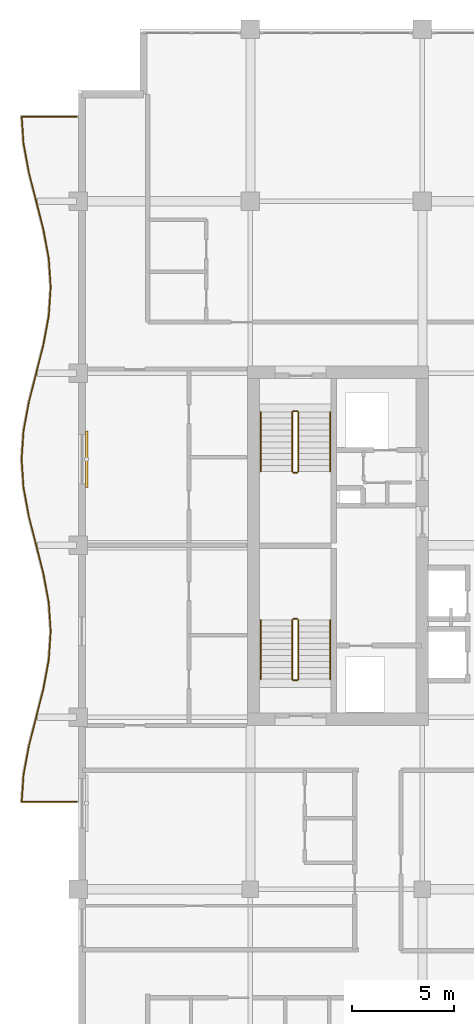
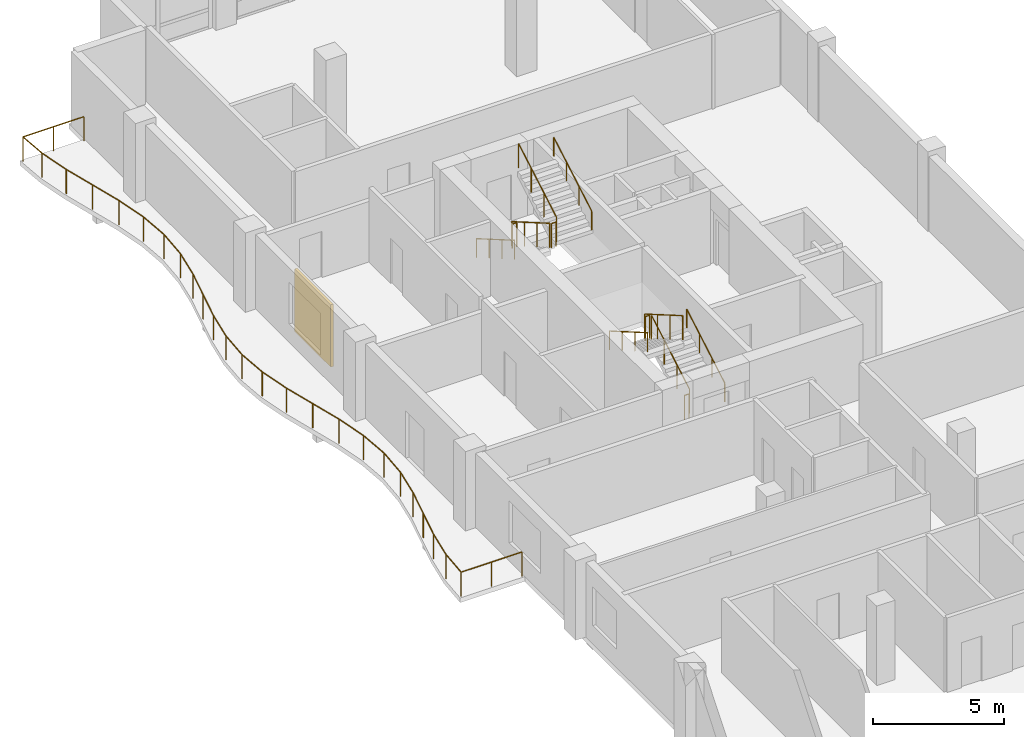
# One storey, part 15 of 16: 13 railings, 1 shading device.
"""IFC4 building model written with IfcOpenShell, lengths in metres."""

from ifc_helpers import new_model, si_unit, direction, frame, origin, origin_2d, place, context, subcontext, project, spatial, rectangle, circle, extrude, material, layer, layer_set, type_object, element, save


model = new_model("IFC4")

# Units and contexts
model_context = context("Model", 3, precision=1e-05, world=origin(), true_north=direction((0.0, 1.0)))
body_context = subcontext(model_context, "Body", "Model", "MODEL_VIEW")
ifc_project = project(units=[si_unit("LENGTHUNIT", "METRE"), si_unit("AREAUNIT", "SQUARE_METRE"), si_unit("VOLUMEUNIT", "CUBIC_METRE"), si_unit("PLANEANGLEUNIT", "RADIAN"), si_unit("MASSUNIT", "GRAM", prefix="KILO")], contexts=[model_context])

# Site, building, storey
site_placement = place(None, origin())
site = spatial("IfcSite", under=ifc_project, at=site_placement, CompositionType="ELEMENT")
building_placement = place(site_placement, origin())
building = spatial("IfcBuilding", under=site, at=building_placement, Name="Koriwani Terraces Tower", CompositionType="ELEMENT")
storey_placement = place(building_placement, frame((0.0, 0.0, 252.699951171875)))
storey = spatial("IfcBuildingStorey", under=building, at=storey_placement, Name="L62", CompositionType="ELEMENT", Elevation=252.699951171875)

# Railings
ifc_material_1 = material(Name="Steel ASTM A572 Grade 50", Category="steel")
railing_type_1 = type_object("IfcRailingType", Name="GUARD_BALUSTRADE_1150", PredefinedType="BALUSTRADE", material=ifc_material_1)
railing_1_placement = place(storey_placement, frame((8.320068359375, 37.8798828125, 0.0)))
element("IfcRailing", 1, at=railing_1_placement, inside=storey, type_object=railing_type_1, Name="L62 Balcony Perimeter Safety Balustrade (W)", PredefinedType="BALUSTRADE", context=body_context, shape_type="SweptSolid", body=[
    extrude(circle(Radius=0.02392578125, at=origin_2d()), frame((0.0, 0.0, 1.1259765625), z_axis=(-1.0, 0.0, 0.0), x_axis=(0.0, -1.0, 0.0)), (0.0, 0.0, 1.0), 2.6845703125),
    extrude(circle(Radius=0.02392578125, at=origin_2d()), frame((-2.6845703125, 0.0, 1.1259765625), z_axis=(0.06786405531, 0.997694577512, 0.0), x_axis=(-0.997694577512, 0.06786405531, 0.0)), (0.0, 0.0, 1.0), 1.31298828125),
    extrude(circle(Radius=0.02392578125, at=origin_2d()), frame((-2.595458984375, 1.31005859375, 1.1259765625), z_axis=(0.182508895706, 0.98320420208, 0.0), x_axis=(-0.98320420208, 0.182508895706, 0.0)), (0.0, 0.0, 1.0), 1.41650390625),
    extrude(circle(Radius=0.02392578125, at=origin_2d()), frame((-2.3369140625, 2.702880859375, 1.1259765625), z_axis=(0.245775750895, 0.969326714928, 0.0), x_axis=(-0.969326714928, 0.245775750895, 0.0)), (0.0, 0.0, 1.0), 2.888671875),
    extrude(circle(Radius=0.02392578125, at=origin_2d()), frame((-1.626953125, 5.5029296875, 1.1259765625), z_axis=(0.182351913416, 0.983233329212, 0.0), x_axis=(-0.983233329212, 0.182351913416, 0.0)), (0.0, 0.0, 1.0), 1.43115234375),
    extrude(circle(Radius=0.02392578125, at=origin_2d()), frame((-1.365966796875, 6.91015625, 1.1259765625), z_axis=(0.067722949425, 0.997704165633, 0.0), x_axis=(-0.997704165633, 0.067722949425, 0.0)), (0.0, 0.0, 1.0), 1.4130859375),
    extrude(circle(Radius=0.02392578125, at=origin_2d()), frame((-1.270263671875, 8.320068359375, 1.1259765625), z_axis=(-0.067711278299, 0.997704957786, 0.0), x_axis=(-0.997704957786, -0.067711278299, 0.0)), (0.0, 0.0, 1.0), 1.413330078125),
    extrude(circle(Radius=0.02392578125, at=origin_2d()), frame((-1.365966796875, 9.730224609375, 1.1259765625), z_axis=(-0.182382502828, 0.983227655562, 0.0), x_axis=(-0.983227655562, -0.182382502828, 0.0)), (0.0, 0.0, 1.0), 1.430908203125),
    extrude(circle(Radius=0.02392578125, at=origin_2d()), frame((-1.626953125, 11.13720703125, 1.1259765625), z_axis=(-0.245775750895, 0.969326714928, 0.0), x_axis=(-0.969326714928, -0.245775750895, 0.0)), (0.0, 0.0, 1.0), 2.888671875),
    extrude(circle(Radius=0.02392578125, at=origin_2d()), frame((-2.3369140625, 13.937255859375, 1.1259765625), z_axis=(-0.182508895706, 0.98320420208, 0.0), x_axis=(-0.98320420208, -0.182508895706, 0.0)), (0.0, 0.0, 1.0), 1.41650390625),
    extrude(circle(Radius=0.02392578125, at=origin_2d()), frame((-2.595458984375, 15.330078125, 1.1259765625), z_axis=(-0.067809839848, 0.997698263815, 0.0), x_axis=(-0.997698263815, -0.067809839848, 0.0)), (0.0, 0.0, 1.0), 1.393310546875),
    extrude(circle(Radius=0.02392578125, at=origin_2d()), frame((-2.68994140625, 16.72021484375, 1.1259765625), z_axis=(0.067821696155, 0.997697457915, 0.0), x_axis=(-0.997697457915, 0.067821696155, 0.0)), (0.0, 0.0, 1.0), 1.39306640625),
    extrude(circle(Radius=0.02392578125, at=origin_2d()), frame((-2.595458984375, 18.110107421875, 1.1259765625), z_axis=(0.182508895706, 0.98320420208, 0.0), x_axis=(-0.98320420208, 0.182508895706, 0.0)), (0.0, 0.0, 1.0), 1.41650390625),
    extrude(circle(Radius=0.02392578125, at=origin_2d()), frame((-2.3369140625, 19.5029296875, 1.1259765625), z_axis=(0.245775750895, 0.969326714928, 0.0), x_axis=(-0.969326714928, 0.245775750895, 0.0)), (0.0, 0.0, 1.0), 2.888671875),
    extrude(circle(Radius=0.02392578125, at=origin_2d()), frame((-1.626953125, 22.302978515625, 1.1259765625), z_axis=(0.182351913416, 0.983233329212, 0.0), x_axis=(-0.983233329212, 0.182351913416, 0.0)), (0.0, 0.0, 1.0), 1.43115234375),
    extrude(circle(Radius=0.02392578125, at=origin_2d()), frame((-1.365966796875, 23.710205078125, 1.1259765625), z_axis=(0.067722949425, 0.997704165633, 0.0), x_axis=(-0.997704165633, 0.067722949425, 0.0)), (0.0, 0.0, 1.0), 1.4130859375),
    extrude(circle(Radius=0.02392578125, at=origin_2d()), frame((-1.270263671875, 25.1201171875, 1.1259765625), z_axis=(-0.067722949425, 0.997704165633, 0.0), x_axis=(-0.997704165633, -0.067722949425, 0.0)), (0.0, 0.0, 1.0), 1.4130859375),
    extrude(circle(Radius=0.02392578125, at=origin_2d()), frame((-1.365966796875, 26.530029296875, 1.1259765625), z_axis=(-0.182351913416, 0.983233329212, 0.0), x_axis=(-0.983233329212, -0.182351913416, 0.0)), (0.0, 0.0, 1.0), 1.43115234375),
    extrude(circle(Radius=0.02392578125, at=origin_2d()), frame((-1.626953125, 27.937255859375, 1.1259765625), z_axis=(-0.245775750895, 0.969326714928, 0.0), x_axis=(-0.969326714928, -0.245775750895, 0.0)), (0.0, 0.0, 1.0), 2.888671875),
    extrude(circle(Radius=0.02392578125, at=origin_2d()), frame((-2.3369140625, 30.7373046875, 1.1259765625), z_axis=(-0.182508895706, 0.98320420208, 0.0), x_axis=(-0.98320420208, -0.182508895706, 0.0)), (0.0, 0.0, 1.0), 1.41650390625),
    extrude(circle(Radius=0.02392578125, at=origin_2d()), frame((-2.595458984375, 32.130126953125, 1.1259765625), z_axis=(-0.06786405531, 0.997694577512, 0.0), x_axis=(-0.997694577512, -0.06786405531, 0.0)), (0.0, 0.0, 1.0), 1.31298828125),
    extrude(circle(Radius=0.02392578125, at=origin_2d()), frame((-2.6845703125, 33.440185546875, 1.1259765625), z_axis=(1.0, 0.0, 0.0), x_axis=(0.0, 1.0, 0.0)), (0.0, 0.0, 1.0), 2.6845703125),
    extrude(circle(Radius=0.02099609375, at=origin_2d()), origin(), (0.0, 0.0, 1.0), 1.101806640625),
    extrude(circle(Radius=0.02099609375, at=origin_2d()), frame((-1.34228515625, 0.0, 0.0)), (0.0, 0.0, 1.0), 1.101806640625),
    extrude(circle(Radius=0.02099609375, at=origin_2d()), frame((-2.6845703125, 0.0, 0.0)), (0.0, 0.0, 1.0), 1.101806640625),
    extrude(circle(Radius=0.02099609375, at=origin_2d()), frame((-2.595458984375, 1.31005859375, 0.0)), (0.0, 0.0, 1.0), 1.101806640625),
    extrude(circle(Radius=0.02099609375, at=origin_2d()), frame((-2.3369140625, 2.702880859375, 0.0)), (0.0, 0.0, 1.0), 1.101806640625),
    extrude(circle(Radius=0.02099609375, at=origin_2d()), frame((-1.98193359375, 4.10302734375, 0.0)), (0.0, 0.0, 1.0), 1.101806640625),
    extrude(circle(Radius=0.02099609375, at=origin_2d()), frame((-1.626953125, 5.5029296875, 0.0)), (0.0, 0.0, 1.0), 1.101806640625),
    extrude(circle(Radius=0.02099609375, at=origin_2d()), frame((-1.365966796875, 6.91015625, 0.0)), (0.0, 0.0, 1.0), 1.101806640625),
    extrude(circle(Radius=0.02099609375, at=origin_2d()), frame((-1.270263671875, 8.320068359375, 0.0)), (0.0, 0.0, 1.0), 1.101806640625),
    extrude(circle(Radius=0.02099609375, at=origin_2d()), frame((-1.365966796875, 9.730224609375, 0.0)), (0.0, 0.0, 1.0), 1.101806640625),
    extrude(circle(Radius=0.02099609375, at=origin_2d()), frame((-1.626953125, 11.13720703125, 0.0)), (0.0, 0.0, 1.0), 1.101806640625),
    extrude(circle(Radius=0.02099609375, at=origin_2d()), frame((-1.98193359375, 12.537109375, 0.0)), (0.0, 0.0, 1.0), 1.101806640625),
    extrude(circle(Radius=0.02099609375, at=origin_2d()), frame((-2.3369140625, 13.937255859375, 0.0)), (0.0, 0.0, 1.0), 1.101806640625),
    extrude(circle(Radius=0.02099609375, at=origin_2d()), frame((-2.595458984375, 15.330078125, 0.0)), (0.0, 0.0, 1.0), 1.101806640625),
    extrude(circle(Radius=0.02099609375, at=origin_2d()), frame((-2.68994140625, 16.72021484375, 0.0)), (0.0, 0.0, 1.0), 1.101806640625),
    extrude(circle(Radius=0.02099609375, at=origin_2d()), frame((-2.595458984375, 18.110107421875, 0.0)), (0.0, 0.0, 1.0), 1.101806640625),
    extrude(circle(Radius=0.02099609375, at=origin_2d()), frame((-2.3369140625, 19.5029296875, 0.0)), (0.0, 0.0, 1.0), 1.101806640625),
    extrude(circle(Radius=0.02099609375, at=origin_2d()), frame((-1.98193359375, 20.90283203125, 0.0)), (0.0, 0.0, 1.0), 1.101806640625),
    extrude(circle(Radius=0.02099609375, at=origin_2d()), frame((-1.626953125, 22.302978515625, 0.0)), (0.0, 0.0, 1.0), 1.101806640625),
    extrude(circle(Radius=0.02099609375, at=origin_2d()), frame((-1.365966796875, 23.710205078125, 0.0)), (0.0, 0.0, 1.0), 1.101806640625),
    extrude(circle(Radius=0.02099609375, at=origin_2d()), frame((-1.270263671875, 25.1201171875, 0.0)), (0.0, 0.0, 1.0), 1.101806640625),
    extrude(circle(Radius=0.02099609375, at=origin_2d()), frame((-1.365966796875, 26.530029296875, 0.0)), (0.0, 0.0, 1.0), 1.101806640625),
    extrude(circle(Radius=0.02099609375, at=origin_2d()), frame((-1.626953125, 27.937255859375, 0.0)), (0.0, 0.0, 1.0), 1.101806640625),
    extrude(circle(Radius=0.02099609375, at=origin_2d()), frame((-1.98193359375, 29.33740234375, 0.0)), (0.0, 0.0, 1.0), 1.101806640625),
    extrude(circle(Radius=0.02099609375, at=origin_2d()), frame((-2.3369140625, 30.7373046875, 0.0)), (0.0, 0.0, 1.0), 1.101806640625),
    extrude(circle(Radius=0.02099609375, at=origin_2d()), frame((-2.595458984375, 32.130126953125, 0.0)), (0.0, 0.0, 1.0), 1.101806640625),
    extrude(circle(Radius=0.02099609375, at=origin_2d()), frame((-2.6845703125, 33.440185546875, 0.0)), (0.0, 0.0, 1.0), 1.101806640625),
    extrude(circle(Radius=0.02099609375, at=origin_2d()), frame((-1.34228515625, 33.440185546875, 0.0)), (0.0, 0.0, 1.0), 1.101806640625),
    extrude(circle(Radius=0.02099609375, at=origin_2d()), frame((0.0, 33.440185546875, 0.0)), (0.0, 0.0, 1.0), 1.101806640625),
])
railing_type_2 = type_object("IfcRailingType", Name="GUARD_STAIR_WELL_1120", PredefinedType="GUARDRAIL", material=ifc_material_1)
railing_2_placement = place(storey_placement, frame((19.14990234375, 43.85009765625, 0.168212890625)))
element("IfcRailing", 2, at=railing_2_placement, inside=storey, type_object=railing_type_2, Name="L62 ST-W1 stair guard 1", PredefinedType="GUARDRAIL", context=body_context, shape_type="SweptSolid", body=[
    extrude(circle(Radius=0.02392578125, at=origin_2d()), frame((0.0, 0.0, 1.1259765625), z_axis=(0.0, 0.865038774852, 0.501705010941), x_axis=(-1.0, 0.0, 0.0)), (0.0, 0.0, 1.0), 3.352294921875),
    extrude(circle(Radius=0.02099609375, at=origin_2d()), origin(), (0.0, 0.0, 1.0), 1.101806640625),
    extrude(circle(Radius=0.02099609375, at=origin_2d()), frame((0.0, 0.966552734375, 0.560546875)), (0.0, 0.0, 1.0), 1.101806640625),
    extrude(circle(Radius=0.02099609375, at=origin_2d()), frame((0.0, 1.933349609375, 1.121337890625)), (0.0, 0.0, 1.0), 1.101806640625),
    extrude(circle(Radius=0.02099609375, at=origin_2d()), frame((0.0, 2.89990234375, 1.681884765625)), (0.0, 0.0, 1.0), 1.101806640625),
])
railing_3_placement = place(storey_placement, frame((19.10009765625, 46.800048828125, 1.85009765625)))
element("IfcRailing", 3, at=railing_3_placement, inside=storey, type_object=railing_type_2, Name="L62 ST-W1 stair guard 2", PredefinedType="GUARDRAIL", context=body_context, shape_type="SweptSolid", body=[
    extrude(circle(Radius=0.02392578125, at=origin_2d()), frame((0.0, 0.0, 1.1259765625), z_axis=(-1.0, 0.0, 0.0), x_axis=(0.0, -1.0, 0.0)), (0.0, 0.0, 1.0), 0.2001953125),
    extrude(circle(Radius=0.02099609375, at=origin_2d()), origin(), (0.0, 0.0, 1.0), 1.101806640625),
    extrude(circle(Radius=0.02099609375, at=origin_2d()), frame((-0.2001953125, 0.0, 0.0)), (0.0, 0.0, 1.0), 1.101806640625),
])
railing_4_placement = place(storey_placement, frame((18.85009765625, 46.75, 2.018310546875)))
element("IfcRailing", 4, at=railing_4_placement, inside=storey, type_object=railing_type_2, Name="L62 ST-W1 stair guard 3", PredefinedType="GUARDRAIL", context=body_context, shape_type="SweptSolid", body=[
    extrude(circle(Radius=0.02392578125, at=origin_2d()), frame((0.0, 0.0, 1.1259765625), z_axis=(0.0, -0.86507038078, 0.501650512107), x_axis=(1.0, 0.0, 0.0)), (0.0, 0.0, 1.0), 3.352294921875),
    extrude(circle(Radius=0.02099609375, at=origin_2d()), origin(), (0.0, 0.0, 1.0), 1.101806640625),
    extrude(circle(Radius=0.02099609375, at=origin_2d()), frame((0.0, -0.966552734375, 0.560546875)), (0.0, 0.0, 1.0), 1.101806640625),
    extrude(circle(Radius=0.02099609375, at=origin_2d()), frame((0.0, -1.933349609375, 1.12109375)), (0.0, 0.0, 1.0), 1.101806640625),
    extrude(circle(Radius=0.02099609375, at=origin_2d()), frame((0.0, -2.89990234375, 1.681640625)), (0.0, 0.0, 1.0), 1.101806640625),
])
railing_5_placement = place(storey_placement, frame((19.10009765625, 43.800048828125, 0.0)))
element("IfcRailing", 5, at=railing_5_placement, inside=storey, type_object=railing_type_2, Name="L62 ST-W1 stair guard 4", PredefinedType="GUARDRAIL", context=body_context, shape_type="SweptSolid", body=[
    extrude(circle(Radius=0.02392578125, at=origin_2d()), frame((0.0, 0.0, 1.1259765625), z_axis=(-1.0, 0.0, 0.0), x_axis=(0.0, -1.0, 0.0)), (0.0, 0.0, 1.0), 0.2001953125),
    extrude(circle(Radius=0.02099609375, at=origin_2d()), origin(), (0.0, 0.0, 1.0), 1.101806640625),
    extrude(circle(Radius=0.02099609375, at=origin_2d()), frame((-0.2001953125, 0.0, 0.0)), (0.0, 0.0, 1.0), 1.101806640625),
])
railing_6_placement = place(storey_placement, frame((18.85009765625, 56.89990234375, 0.168212890625)))
element("IfcRailing", 6, at=railing_6_placement, inside=storey, type_object=railing_type_2, Name="L62 ST-W2 stair guard 1", PredefinedType="GUARDRAIL", context=body_context, shape_type="SweptSolid", body=[
    extrude(circle(Radius=0.02392578125, at=origin_2d()), frame((0.0, 0.0, 1.1259765625), z_axis=(0.0, -0.865038774852, 0.501705010941), x_axis=(1.0, 0.0, 0.0)), (0.0, 0.0, 1.0), 3.352294921875),
    extrude(circle(Radius=0.02099609375, at=origin_2d()), origin(), (0.0, 0.0, 1.0), 1.101806640625),
    extrude(circle(Radius=0.02099609375, at=origin_2d()), frame((0.0, -0.966552734375, 0.560546875)), (0.0, 0.0, 1.0), 1.101806640625),
    extrude(circle(Radius=0.02099609375, at=origin_2d()), frame((0.0, -1.933349609375, 1.121337890625)), (0.0, 0.0, 1.0), 1.101806640625),
    extrude(circle(Radius=0.02099609375, at=origin_2d()), frame((0.0, -2.89990234375, 1.681884765625)), (0.0, 0.0, 1.0), 1.101806640625),
])
railing_7_placement = place(storey_placement, frame((18.89990234375, 53.949951171875, 1.85009765625)))
element("IfcRailing", 7, at=railing_7_placement, inside=storey, type_object=railing_type_2, Name="L62 ST-W2 stair guard 2", PredefinedType="GUARDRAIL", context=body_context, shape_type="SweptSolid", body=[
    extrude(circle(Radius=0.02392578125, at=origin_2d()), frame((0.0, 0.0, 1.1259765625), z_axis=(1.0, 0.0, 0.0), x_axis=(0.0, 1.0, 0.0)), (0.0, 0.0, 1.0), 0.2001953125),
    extrude(circle(Radius=0.02099609375, at=origin_2d()), origin(), (0.0, 0.0, 1.0), 1.101806640625),
    extrude(circle(Radius=0.02099609375, at=origin_2d()), frame((0.2001953125, 0.0, 0.0)), (0.0, 0.0, 1.0), 1.101806640625),
])
railing_8_placement = place(storey_placement, frame((19.14990234375, 54.0, 2.018310546875)))
element("IfcRailing", 8, at=railing_8_placement, inside=storey, type_object=railing_type_2, Name="L62 ST-W2 stair guard 3", PredefinedType="GUARDRAIL", context=body_context, shape_type="SweptSolid", body=[
    extrude(circle(Radius=0.02392578125, at=origin_2d()), frame((0.0, 0.0, 1.1259765625), z_axis=(0.0, 0.86507038078, 0.501650512107), x_axis=(-1.0, 0.0, 0.0)), (0.0, 0.0, 1.0), 3.352294921875),
    extrude(circle(Radius=0.02099609375, at=origin_2d()), origin(), (0.0, 0.0, 1.0), 1.101806640625),
    extrude(circle(Radius=0.02099609375, at=origin_2d()), frame((0.0, 0.966552734375, 0.560546875)), (0.0, 0.0, 1.0), 1.101806640625),
    extrude(circle(Radius=0.02099609375, at=origin_2d()), frame((0.0, 1.933349609375, 1.12109375)), (0.0, 0.0, 1.0), 1.101806640625),
    extrude(circle(Radius=0.02099609375, at=origin_2d()), frame((0.0, 2.89990234375, 1.681640625)), (0.0, 0.0, 1.0), 1.101806640625),
])
railing_9_placement = place(storey_placement, frame((18.89990234375, 56.949951171875, 0.0)))
element("IfcRailing", 9, at=railing_9_placement, inside=storey, type_object=railing_type_2, Name="L62 ST-W2 stair guard 4", PredefinedType="GUARDRAIL", context=body_context, shape_type="SweptSolid", body=[
    extrude(circle(Radius=0.02392578125, at=origin_2d()), frame((0.0, 0.0, 1.1259765625), z_axis=(1.0, 0.0, 0.0), x_axis=(0.0, 1.0, 0.0)), (0.0, 0.0, 1.0), 0.2001953125),
    extrude(circle(Radius=0.02099609375, at=origin_2d()), origin(), (0.0, 0.0, 1.0), 1.101806640625),
    extrude(circle(Radius=0.02099609375, at=origin_2d()), frame((0.2001953125, 0.0, 0.0)), (0.0, 0.0, 1.0), 1.101806640625),
])
railing_type_3 = type_object("IfcRailingType", Name="HANDRAIL_STAIR_920", PredefinedType="HANDRAIL", material=ifc_material_1)
railing_10_placement = place(storey_placement, frame((20.699951171875, 43.85009765625, 0.168212890625)))
element("IfcRailing", 10, at=railing_10_placement, inside=storey, type_object=railing_type_3, Name="L62 ST-W1 stair handrail 1", PredefinedType="HANDRAIL", context=body_context, shape_type="SweptSolid", body=[
    extrude(circle(Radius=0.02392578125, at=origin_2d()), frame((0.0, 0.0, 0.8759765625), z_axis=(0.0, 0.865038774852, 0.501705010941), x_axis=(-1.0, 0.0, 0.0)), (0.0, 0.0, 1.0), 3.352294921875),
    extrude(circle(Radius=0.02099609375, at=origin_2d()), origin(), (0.0, 0.0, 1.0), 0.851806640625),
    extrude(circle(Radius=0.02099609375, at=origin_2d()), frame((0.0, 0.966552734375, 0.560546875)), (0.0, 0.0, 1.0), 0.851806640625),
    extrude(circle(Radius=0.02099609375, at=origin_2d()), frame((0.0, 1.933349609375, 1.121337890625)), (0.0, 0.0, 1.0), 0.851806640625),
    extrude(circle(Radius=0.02099609375, at=origin_2d()), frame((0.0, 2.89990234375, 1.681884765625)), (0.0, 0.0, 1.0), 0.851806640625),
])
railing_11_placement = place(storey_placement, frame((17.300048828125, 46.75, 2.018310546875)))
element("IfcRailing", 11, at=railing_11_placement, inside=storey, type_object=railing_type_3, Name="L62 ST-W1 stair handrail 2", PredefinedType="HANDRAIL", context=body_context, shape_type="SweptSolid", body=[
    extrude(circle(Radius=0.02392578125, at=origin_2d()), frame((0.0, 0.0, 0.8759765625), z_axis=(0.0, -0.86507038078, 0.501650512107), x_axis=(1.0, 0.0, 0.0)), (0.0, 0.0, 1.0), 3.352294921875),
    extrude(circle(Radius=0.02099609375, at=origin_2d()), origin(), (0.0, 0.0, 1.0), 0.851806640625),
    extrude(circle(Radius=0.02099609375, at=origin_2d()), frame((0.0, -0.966552734375, 0.560546875)), (0.0, 0.0, 1.0), 0.851806640625),
    extrude(circle(Radius=0.02099609375, at=origin_2d()), frame((0.0, -1.933349609375, 1.12109375)), (0.0, 0.0, 1.0), 0.851806640625),
    extrude(circle(Radius=0.02099609375, at=origin_2d()), frame((0.0, -2.89990234375, 1.681640625)), (0.0, 0.0, 1.0), 0.851806640625),
])
railing_12_placement = place(storey_placement, frame((17.300048828125, 56.89990234375, 0.168212890625)))
element("IfcRailing", 12, at=railing_12_placement, inside=storey, type_object=railing_type_3, Name="L62 ST-W2 stair handrail 1", PredefinedType="HANDRAIL", context=body_context, shape_type="SweptSolid", body=[
    extrude(circle(Radius=0.02392578125, at=origin_2d()), frame((0.0, 0.0, 0.8759765625), z_axis=(0.0, -0.865038774852, 0.501705010941), x_axis=(1.0, 0.0, 0.0)), (0.0, 0.0, 1.0), 3.352294921875),
    extrude(circle(Radius=0.02099609375, at=origin_2d()), origin(), (0.0, 0.0, 1.0), 0.851806640625),
    extrude(circle(Radius=0.02099609375, at=origin_2d()), frame((0.0, -0.966552734375, 0.560546875)), (0.0, 0.0, 1.0), 0.851806640625),
    extrude(circle(Radius=0.02099609375, at=origin_2d()), frame((0.0, -1.933349609375, 1.121337890625)), (0.0, 0.0, 1.0), 0.851806640625),
    extrude(circle(Radius=0.02099609375, at=origin_2d()), frame((0.0, -2.89990234375, 1.681884765625)), (0.0, 0.0, 1.0), 0.851806640625),
])
railing_13_placement = place(storey_placement, frame((20.699951171875, 54.0, 2.018310546875)))
element("IfcRailing", 13, at=railing_13_placement, inside=storey, type_object=railing_type_3, Name="L62 ST-W2 stair handrail 2", PredefinedType="HANDRAIL", context=body_context, shape_type="SweptSolid", body=[
    extrude(circle(Radius=0.02392578125, at=origin_2d()), frame((0.0, 0.0, 0.8759765625), z_axis=(0.0, 0.86507038078, 0.501650512107), x_axis=(-1.0, 0.0, 0.0)), (0.0, 0.0, 1.0), 3.352294921875),
    extrude(circle(Radius=0.02099609375, at=origin_2d()), origin(), (0.0, 0.0, 1.0), 0.851806640625),
    extrude(circle(Radius=0.02099609375, at=origin_2d()), frame((0.0, 0.966552734375, 0.560546875)), (0.0, 0.0, 1.0), 0.851806640625),
    extrude(circle(Radius=0.02099609375, at=origin_2d()), frame((0.0, 1.933349609375, 1.12109375)), (0.0, 0.0, 1.0), 0.851806640625),
    extrude(circle(Radius=0.02099609375, at=origin_2d()), frame((0.0, 2.89990234375, 1.681640625)), (0.0, 0.0, 1.0), 0.851806640625),
])

# Shading device
ifc_material_2 = material(Name="Extruded Terracotta Clay", Category="masonry")
ifc_layer = layer(ifc_material_2, 0.1201171875, Name="Extruded Terracotta Clay")
ifc_layer_set = layer_set([ifc_layer], Name="Extruded Terracotta Clay")
shading_device_type = type_object("IfcShadingDeviceType", Name="TERRACOTTA_BAGUETTE_SCREEN_2800", PredefinedType="USERDEFINED", material=ifc_layer_set)
shading_device_placement = place(storey_placement, frame((8.804931640625, 54.60009765625, 0.28515625), z_axis=(0.0, 0.0, 1.0), x_axis=(0.0, 1.0, 0.0)))
element("IfcShadingDevice", 14, at=shading_device_placement, inside=storey, type_object=shading_device_type, Name="L62 Extruded Terracotta Baguette Screen (W-15)", ObjectType="BAGUETTE", PredefinedType="USERDEFINED", context=body_context, shape_type="SweptSolid", body=[
    extrude(rectangle(XDim=2.760009765625, YDim=0.1201171875, at=origin_2d()), origin(), (0.0, 0.0, 1.0), 2.89990234375),
])

save(model, "model.ifc")
